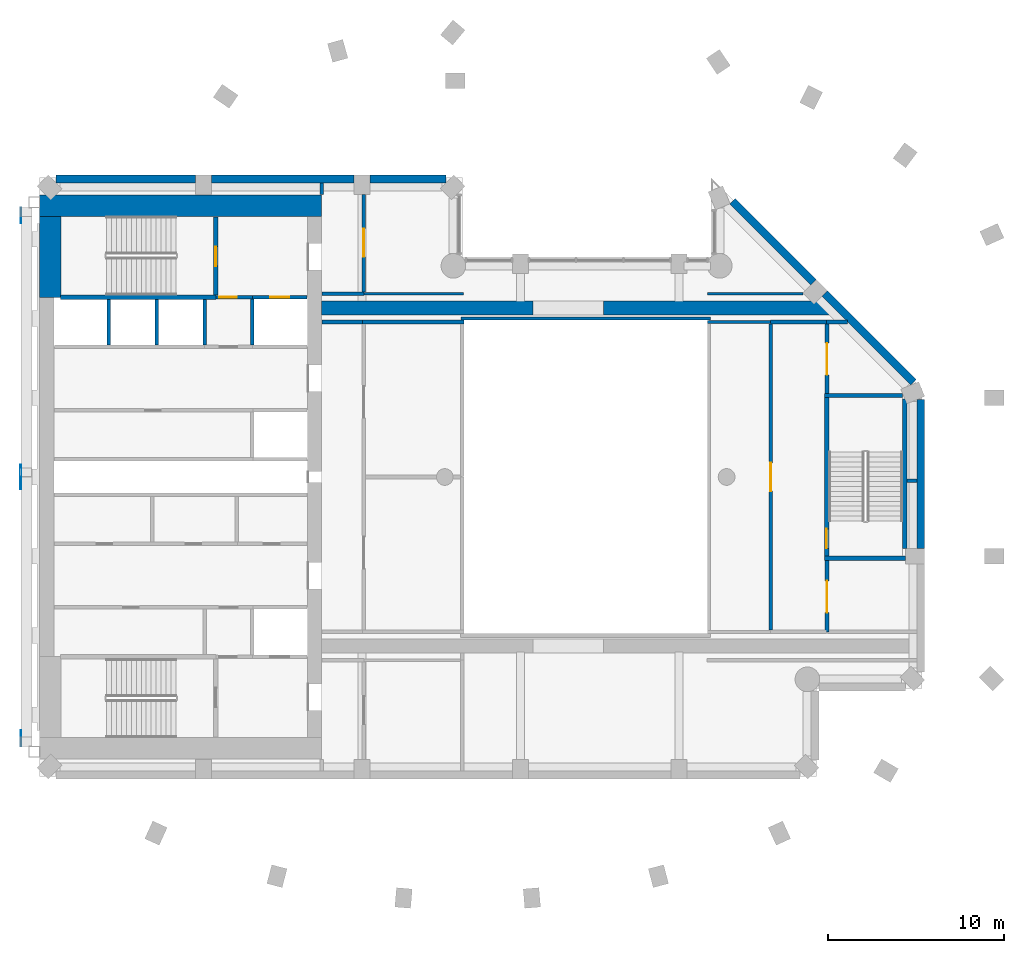
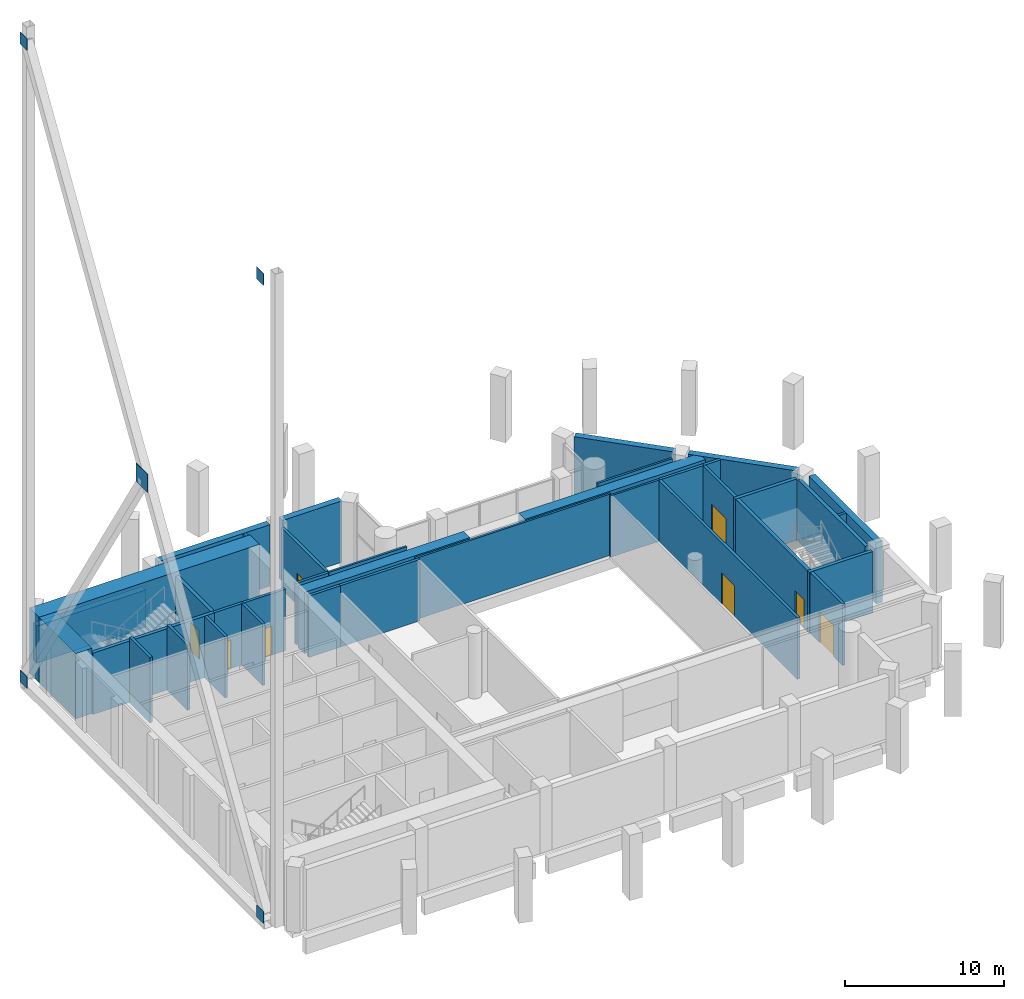
# One storey, part 6 of 12: 37 walls, 8 doors, 5 discrete accessories, 8 openings.
"""IFC4 building model written with IfcOpenShell, lengths in metres."""

from ifc_helpers import new_model, si_unit, direction, frame, frame_2d, origin, origin_2d, place, context, subcontext, project, spatial, rectangle, extrude, material, layer, layer_set, material_profile, profile_set, type_object, element, fill, save


model = new_model("IFC4")

# Units and contexts
model_context = context("Model", 3, precision=1e-05, world=origin(), true_north=direction((0.0, 1.0)))
body_context = subcontext(model_context, "Body", "Model", "MODEL_VIEW")
ifc_project = project(units=[si_unit("LENGTHUNIT", "METRE"), si_unit("AREAUNIT", "SQUARE_METRE"), si_unit("VOLUMEUNIT", "CUBIC_METRE"), si_unit("PLANEANGLEUNIT", "RADIAN"), si_unit("MASSUNIT", "GRAM", prefix="KILO")], contexts=[model_context])

# Site, building, storey
site_placement = place(None, origin())
site = spatial("IfcSite", under=ifc_project, at=site_placement, CompositionType="ELEMENT")
building_placement = place(site_placement, origin())
building = spatial("IfcBuilding", under=site, at=building_placement, Name="Cypress Arch Tower", CompositionType="ELEMENT")
storey_placement = place(building_placement, frame((0.0, 0.0, 238.39990234375)))
storey = spatial("IfcBuildingStorey", under=building, at=storey_placement, Name="L53", CompositionType="ELEMENT", Elevation=238.39990234375)

# Walls
ifc_material_1 = material(Name="Brick (red buff blend)", Category="masonry")
ifc_layer_1 = layer(ifc_material_1, 0.449951171875)
ifc_layer_set_1 = layer_set([ifc_layer_1], Name="Brick belt wall BW450-B")
wall_type_1 = type_object("IfcWallType", Name="Brick belt wall BW450-B", PredefinedType="SOLIDWALL", material=ifc_layer_set_1)
wall_1_placement = place(storey_placement, frame((20.02490234375, -4.050048828125, 0.0), z_axis=(0.0, 0.0, 1.0), x_axis=(0.0, 1.0, 0.0)))
element("IfcWall", 1, at=wall_1_placement, inside=storey, type_object=wall_type_1, Name="Brick wall L53 B04.1", PredefinedType="SOLIDWALL", context=body_context, shape_type="SweptSolid", body=[
    extrude(rectangle(XDim=8.438720703125, YDim=0.449951171875, at=frame_2d((4.21923828125, 0.0))), origin(), (0.0, 0.0, 1.0), 4.7001953125),
])
wall_2_placement = place(storey_placement, frame((19.61474609375, 5.379150390625, 0.0), z_axis=(0.0, 0.0, 1.0), x_axis=(-0.707089646058, 0.7071239159, 0.0)))
element("IfcWall", 2, at=wall_2_placement, inside=storey, type_object=wall_type_1, Name="Brick wall L53 B05.0", PredefinedType="SOLIDWALL", context=body_context, shape_type="SweptSolid", body=[
    extrude(rectangle(XDim=7.1240234375, YDim=0.449951171875, at=frame_2d((3.56201171875, 0.0))), origin(), (0.0, 0.0, 1.0), 4.7001953125),
])
wall_3_placement = place(storey_placement, frame((13.94091796875, 11.052978515625, 0.0), z_axis=(0.0, 0.0, 1.0), x_axis=(-0.707106781187, 0.707106781187, 0.0)))
element("IfcWall", 3, at=wall_3_placement, inside=storey, type_object=wall_type_1, Name="Brick wall L53 B05.1", PredefinedType="SOLIDWALL", context=body_context, shape_type="SweptSolid", body=[
    extrude(rectangle(XDim=6.505126953125, YDim=0.449951171875, at=frame_2d((3.25244140625, 0.0))), origin(), (0.0, 0.0, 1.0), 4.7001953125),
])
wall_4_placement = place(storey_placement, frame((-6.936279296875, 16.925048828125, 0.0), z_axis=(0.0, 0.0, 1.0), x_axis=(-1.0, 0.0, 0.0)))
element("IfcWall", 4, at=wall_4_placement, inside=storey, type_object=wall_type_1, Name="Brick wall L53 B09.0", PredefinedType="SOLIDWALL", context=body_context, shape_type="SweptSolid", body=[
    extrude(rectangle(XDim=4.313720703125, YDim=0.449951171875, at=frame_2d((2.15673828125, 0.0))), origin(), (0.0, 0.0, 1.0), 4.7001953125),
])
wall_5_placement = place(storey_placement, frame((-12.14990234375, 16.925048828125, 0.0), z_axis=(0.0, 0.0, 1.0), x_axis=(-1.0, 0.0, 0.0)))
element("IfcWall", 5, at=wall_5_placement, inside=storey, type_object=wall_type_1, Name="Brick wall L53 B09.1", PredefinedType="SOLIDWALL", context=body_context, shape_type="SweptSolid", body=[
    extrude(rectangle(XDim=8.10009765625, YDim=0.449951171875, at=frame_2d((4.050048828125, 0.0))), origin(), (0.0, 0.0, 1.0), 4.7001953125),
])
wall_6_placement = place(storey_placement, frame((-21.14990234375, 16.925048828125, 0.0), z_axis=(0.0, 0.0, 1.0), x_axis=(-1.0, 0.0, 0.0)))
element("IfcWall", 6, at=wall_6_placement, inside=storey, type_object=wall_type_1, Name="Brick wall L53 B09.2", PredefinedType="SOLIDWALL", context=body_context, shape_type="SweptSolid", body=[
    extrude(rectangle(XDim=7.913818359375, YDim=0.449951171875, at=frame_2d((3.95703125, 0.0))), origin(), (0.0, 0.0, 1.0), 2.85009765625),
])
ifc_material_2 = material(Name="Concrete C70/85", Category="concrete")
ifc_layer_2 = layer(ifc_material_2, 1.199951171875)
ifc_layer_set_2 = layer_set([ifc_layer_2], Name="Core wall CW1200 C70/85")
wall_type_2 = type_object("IfcWallType", Name="Core wall CW1200 C70/85", PredefinedType="SHEAR", material=ifc_layer_set_2)
wall_7_placement = place(storey_placement, frame((-30.0, 15.39990234375, 0.0), z_axis=(0.0, 0.0, 1.0), x_axis=(1.0, 0.0, 0.0)))
element("IfcWall", 7, at=wall_7_placement, inside=storey, type_object=wall_type_2, Name="Core wall", PredefinedType="SHEAR", context=body_context, shape_type="SweptSolid", body=[
    extrude(rectangle(XDim=16.0, YDim=1.199951171875, at=frame_2d((8.0, 0.0))), origin(), (0.0, 0.0, 1.0), 5.0),
])
wall_8_placement = place(storey_placement, frame((-29.39990234375, 10.199951171875, 0.0), z_axis=(0.0, 0.0, 1.0), x_axis=(0.0, 1.0, 0.0)))
element("IfcWall", 8, at=wall_8_placement, inside=storey, type_object=wall_type_2, Name="Core wall", PredefinedType="SHEAR", context=body_context, shape_type="SweptSolid", body=[
    extrude(rectangle(XDim=4.60009765625, YDim=1.199951171875, at=frame_2d((2.300048828125, 0.0))), origin(), (0.0, 0.0, 1.0), 5.0),
])

# Wall, opening, door
ifc_material_3 = material(Name="Concrete blockwork, plastered, rated", Category="masonry")
ifc_layer_3 = layer(ifc_material_3, 0.199951171875)
ifc_layer_set_3 = layer_set([ifc_layer_3], Name="Corridor wall FW200")
wall_type_3 = type_object("IfcWallType", Name="Corridor wall FW200", PredefinedType="PARTITIONING", material=ifc_layer_set_3)
wall_9_placement = place(storey_placement, frame((-20.0, 10.199951171875, 0.0), z_axis=(0.0, 0.0, 1.0), x_axis=(1.0, 0.0, 0.0)))
wall_9 = element("IfcWall", 9, at=wall_9_placement, inside=storey, type_object=wall_type_3, Name="Corridor wall", PredefinedType="PARTITIONING", context=body_context, shape_type="SweptSolid", body=[
    extrude(rectangle(XDim=2.080078125, YDim=0.199951171875, at=frame_2d((1.0400390625, 0.0))), origin(), (0.0, 0.0, 1.0), 4.7001953125),
])
opening_1_placement = place(wall_9_placement, frame((0.199951171875, 0.0, 0.0)))
opening_1 = element("IfcOpeningElement", 10, at=opening_1_placement, cuts=wall_9, Name="Opening D16", PredefinedType="OPENING", context=body_context, shape_type="SweptSolid", body=[
    extrude(rectangle(XDim=1.0, YDim=2.199951171875, at=frame_2d((0.5, 1.10009765625))), frame((0.0, 0.10986328125, 0.0), z_axis=(0.0, -1.0, 0.0), x_axis=(1.0, 0.0, 0.0)), (0.0, 0.0, 1.0), 0.219970703125),
])
ifc_material_4 = material(Name="Timber flush door", Category="wood")
door_type_1 = type_object("IfcDoorType", Name="Service door D16 1000x2200", OperationType="SINGLE_SWING_LEFT", PredefinedType="DOOR", material=ifc_material_4)
door_1_placement = place(opening_1_placement, origin())
door_1 = element("IfcDoor", 11, at=door_1_placement, inside=storey, type_object=door_type_1, Name="Service door", OperationType="SINGLE_SWING_LEFT", OverallHeight=2.199951171875, OverallWidth=1.0, PredefinedType="DOOR", context=body_context, shape_type="SweptSolid", body=[
    extrude(rectangle(XDim=1.0, YDim=2.199951171875, at=frame_2d((0.5, 1.10009765625))), frame((0.0, 0.02490234375, 0.0), z_axis=(0.0, -1.0, 0.0), x_axis=(1.0, 0.0, 0.0)), (0.0, 0.0, 1.0), 0.050048828125),
])
fill(opening_1, door_1)

# Walls
wall_10_placement = place(storey_placement, frame((-13.969970703125, 8.800048828125, 0.0), z_axis=(0.0, 0.0, 1.0), x_axis=(1.0, 0.0, 0.0)))
element("IfcWall", 12, at=wall_10_placement, inside=storey, type_object=wall_type_3, Name="Corridor wall", PredefinedType="PARTITIONING", context=body_context, shape_type="SweptSolid", body=[
    extrude(rectangle(XDim=2.2900390625, YDim=0.199951171875, at=frame_2d((1.14501953125, 0.0))), origin(), (0.0, 0.0, 1.0), 4.7001953125),
])
wall_11_placement = place(storey_placement, frame((-13.969970703125, 10.39990234375, 0.0), z_axis=(0.0, 0.0, 1.0), x_axis=(1.0, 0.0, 0.0)))
element("IfcWall", 13, at=wall_11_placement, inside=storey, type_object=wall_type_3, Name="Corridor wall", PredefinedType="PARTITIONING", context=body_context, shape_type="SweptSolid", body=[
    extrude(rectangle(XDim=2.369873046875, YDim=0.199951171875, at=frame_2d((1.18505859375, 0.0))), origin(), (0.0, 0.0, 1.0), 4.7001953125),
])

# Wall, opening, door
wall_12_placement = place(storey_placement, frame((-11.60009765625, 10.5, 0.0), z_axis=(0.0, 0.0, 1.0), x_axis=(0.0, 1.0, 0.0)))
wall_12 = element("IfcWall", 14, at=wall_12_placement, inside=storey, type_object=wall_type_3, Name="Corridor wall", PredefinedType="PARTITIONING", context=body_context, shape_type="SweptSolid", body=[
    extrude(rectangle(XDim=5.550048828125, YDim=0.199951171875, at=frame_2d((2.77490234375, 0.0))), origin(), (0.0, 0.0, 1.0), 4.7001953125),
])
opening_2_placement = place(wall_12_placement, frame((2.0, 0.0, 0.0)))
opening_2 = element("IfcOpeningElement", 15, at=opening_2_placement, cuts=wall_12, Name="Opening D10", PredefinedType="OPENING", context=body_context, shape_type="SweptSolid", body=[
    extrude(rectangle(XDim=1.60009765625, YDim=2.39990234375, at=frame_2d((0.800048828125, 1.199951171875))), frame((0.0, 0.10986328125, 0.0), z_axis=(0.0, -1.0, 0.0), x_axis=(1.0, 0.0, 0.0)), (0.0, 0.0, 1.0), 0.219970703125),
])
ifc_material_5 = material(Name="Black aluminium glazed door", Category="aluminium")
door_type_2 = type_object("IfcDoorType", Name="Amenity door D10 1600x2400", OperationType="DOUBLE_DOOR_SINGLE_SWING", PredefinedType="DOOR", material=ifc_material_5)
door_2_placement = place(opening_2_placement, origin())
door_2 = element("IfcDoor", 16, at=door_2_placement, inside=storey, type_object=door_type_2, Name="Amenity door", OperationType="DOUBLE_DOOR_SINGLE_SWING", OverallHeight=2.39990234375, OverallWidth=1.60009765625, PredefinedType="DOOR", context=body_context, shape_type="SweptSolid", body=[
    extrude(rectangle(XDim=1.60009765625, YDim=2.39990234375, at=frame_2d((0.800048828125, 1.199951171875))), frame((0.0, 0.02490234375, 0.0), z_axis=(0.0, -1.0, 0.0), x_axis=(1.0, 0.0, 0.0)), (0.0, 0.0, 1.0), 0.050048828125),
])
fill(opening_2, door_2)

wall_13_placement = place(storey_placement, frame((11.5, -8.699951171875, 0.0), z_axis=(0.0, 0.0, 1.0), x_axis=(0.0, 1.0, 0.0)))
wall_13 = element("IfcWall", 17, at=wall_13_placement, inside=storey, type_object=wall_type_3, Name="Corridor wall", PredefinedType="PARTITIONING", context=body_context, shape_type="SweptSolid", body=[
    extrude(rectangle(XDim=17.39990234375, YDim=0.199951171875, at=frame_2d((8.699951171875, 0.0))), origin(), (0.0, 0.0, 1.0), 4.7001953125),
])
opening_3_placement = place(wall_13_placement, frame((7.89990234375, 0.0, 0.0)))
opening_3 = element("IfcOpeningElement", 18, at=opening_3_placement, cuts=wall_13, Name="Opening D10", PredefinedType="OPENING", context=body_context, shape_type="SweptSolid", body=[
    extrude(rectangle(XDim=1.60009765625, YDim=2.39990234375, at=frame_2d((0.800048828125, 1.199951171875))), frame((0.0, 0.10986328125, 0.0), z_axis=(0.0, -1.0, 0.0), x_axis=(1.0, 0.0, 0.0)), (0.0, 0.0, 1.0), 0.219970703125),
])
door_3_placement = place(opening_3_placement, origin())
door_3 = element("IfcDoor", 19, at=door_3_placement, inside=storey, type_object=door_type_2, Name="Amenity door", OperationType="DOUBLE_DOOR_SINGLE_SWING", OverallHeight=2.39990234375, OverallWidth=1.60009765625, PredefinedType="DOOR", context=body_context, shape_type="SweptSolid", body=[
    extrude(rectangle(XDim=1.60009765625, YDim=2.39990234375, at=frame_2d((0.800048828125, 1.199951171875))), frame((0.0, 0.02490234375, 0.0), z_axis=(0.0, -1.0, 0.0), x_axis=(1.0, 0.0, 0.0)), (0.0, 0.0, 1.0), 0.050048828125),
])
fill(opening_3, door_3)

# Walls
wall_14_placement = place(storey_placement, frame((11.5, 8.800048828125, 0.0), z_axis=(0.0, 0.0, 1.0), x_axis=(1.0, 0.0, 0.0)))
element("IfcWall", 20, at=wall_14_placement, inside=storey, type_object=wall_type_3, Name="Corridor wall", PredefinedType="PARTITIONING", context=body_context, shape_type="SweptSolid", body=[
    extrude(rectangle(XDim=3.179931640625, YDim=0.199951171875, at=frame_2d((1.58984375, 0.0))), origin(), (0.0, 0.0, 1.0), 4.7001953125),
])
ifc_material_6 = material(Name="Concrete C80/95", Category="concrete")
ifc_layer_4 = layer(ifc_material_6, 0.800048828125)
ifc_layer_set_4 = layer_set([ifc_layer_4], Name="Outrigger wall 800 Concrete C80/95")
wall_type_4 = type_object("IfcWallType", Name="Outrigger wall 800 Concrete C80/95", PredefinedType="SOLIDWALL", material=ifc_layer_set_4)
wall_15_placement = place(storey_placement, frame((-14.0, 9.60009765625, 0.0), z_axis=(0.0, 0.0, 1.0), x_axis=(1.0, 0.0, 0.0)))
element("IfcWall", 21, at=wall_15_placement, inside=storey, type_object=wall_type_4, Name="Outrigger wall L53 NW", PredefinedType="SOLIDWALL", context=body_context, shape_type="SweptSolid", body=[
    extrude(rectangle(XDim=12.0, YDim=0.800048828125, at=frame_2d((6.0, 0.0))), origin(), (0.0, 0.0, 1.0), 4.7001953125),
])
wall_16_placement = place(storey_placement, frame((2.0, 9.60009765625, 0.0), z_axis=(0.0, 0.0, 1.0), x_axis=(1.0, 0.0, 0.0)))
element("IfcWall", 22, at=wall_16_placement, inside=storey, type_object=wall_type_4, Name="Outrigger wall L53 NE", PredefinedType="SOLIDWALL", context=body_context, shape_type="SweptSolid", body=[
    extrude(rectangle(XDim=13.07568359375, YDim=0.800048828125, at=frame_2d((6.537841796875, 0.0))), origin(), (0.0, 0.0, 1.0), 4.7001953125),
])
ifc_material_7 = material(Name="Blockwork, plastered both sides", Category="masonry")
ifc_layer_5 = layer(ifc_material_7, 0.14990234375)
ifc_layer_set_5 = layer_set([ifc_layer_5], Name="Partition PW150")
wall_type_5 = type_object("IfcWallType", Name="Partition PW150", PredefinedType="PARTITIONING", material=ifc_layer_set_5)
wall_17_placement = place(storey_placement, frame((-11.580078125, 10.39990234375, 0.0), z_axis=(0.0, 0.0, 1.0), x_axis=(1.0, 0.0, 0.0)))
element("IfcWall", 23, at=wall_17_placement, inside=storey, type_object=wall_type_5, Name="Partition", PredefinedType="PARTITIONING", context=body_context, shape_type="SweptSolid", body=[
    extrude(rectangle(XDim=5.654052734375, YDim=0.14990234375, at=frame_2d((2.8271484375, 0.0))), origin(), (0.0, 0.0, 1.0), 4.7001953125),
])
wall_18_placement = place(storey_placement, frame((-6.074951171875, 9.0, 0.0), z_axis=(0.0, 0.0, 1.0), x_axis=(1.0, 0.0, 0.0)))
element("IfcWall", 24, at=wall_18_placement, inside=storey, type_object=wall_type_5, Name="Partition", PredefinedType="PARTITIONING", context=body_context, shape_type="SweptSolid", body=[
    extrude(rectangle(XDim=14.14990234375, YDim=0.14990234375, at=frame_2d((7.074951171875, 0.0))), origin(), (0.0, 0.0, 1.0), 4.7001953125),
])
wall_19_placement = place(storey_placement, frame((7.925048828125, 8.800048828125, 0.0), z_axis=(0.0, 0.0, 1.0), x_axis=(1.0, 0.0, 0.0)))
element("IfcWall", 25, at=wall_19_placement, inside=storey, type_object=wall_type_5, Name="Partition", PredefinedType="PARTITIONING", context=body_context, shape_type="SweptSolid", body=[
    extrude(rectangle(XDim=3.554931640625, YDim=0.14990234375, at=frame_2d((1.77734375, 0.0))), origin(), (0.0, 0.0, 1.0), 4.7001953125),
])
wall_20_placement = place(storey_placement, frame((7.926025390625, 10.39990234375, 0.0), z_axis=(0.0, 0.0, 1.0), x_axis=(1.0, 0.0, 0.0)))
element("IfcWall", 26, at=wall_20_placement, inside=storey, type_object=wall_type_5, Name="Partition", PredefinedType="PARTITIONING", context=body_context, shape_type="SweptSolid", body=[
    extrude(rectangle(XDim=5.400390625, YDim=0.14990234375, at=frame_2d((2.7001953125, 0.0))), origin(), (0.0, 0.0, 1.0), 4.7001953125),
])
ifc_material_8 = material(Name="Reinforced blockwork, plastered, rated", Category="masonry")
ifc_layer_6 = layer(ifc_material_8, 0.199951171875)
ifc_layer_set_6 = layer_set([ifc_layer_6], Name="Plant and riser wall PL200")
wall_type_6 = type_object("IfcWallType", Name="Plant and riser wall PL200", PredefinedType="PARTITIONING", material=ifc_layer_set_6)
wall_21_placement = place(storey_placement, frame((-14.0, 16.030029296875, 0.0), z_axis=(0.0, 0.0, 1.0), x_axis=(0.0, 1.0, 0.0)))
element("IfcWall", 27, at=wall_21_placement, inside=storey, type_object=wall_type_6, Name="Plant and riser wall", PredefinedType="PARTITIONING", context=body_context, shape_type="SweptSolid", body=[
    extrude(rectangle(XDim=0.669921875, YDim=0.199951171875, at=frame_2d((0.3349609375, 0.0))), origin(), (0.0, 0.0, 1.0), 4.7001953125),
])
wall_22_placement = place(storey_placement, frame((-11.679931640625, 8.800048828125, 0.0), z_axis=(0.0, 0.0, 1.0), x_axis=(1.0, 0.0, 0.0)))
element("IfcWall", 28, at=wall_22_placement, inside=storey, type_object=wall_type_6, Name="Plant and riser wall", PredefinedType="PARTITIONING", context=body_context, shape_type="SweptSolid", body=[
    extrude(rectangle(XDim=5.780029296875, YDim=0.199951171875, at=frame_2d((2.89013671875, 0.0))), origin(), (0.0, 0.0, 1.0), 4.7001953125),
])

# Wall, opening, door
wall_23_placement = place(storey_placement, frame((14.699951171875, -8.800048828125, 0.0), z_axis=(0.0, 0.0, 1.0), x_axis=(0.0, 1.0, 0.0)))
wall_23 = element("IfcWall", 29, at=wall_23_placement, inside=storey, type_object=wall_type_6, Name="Plant and riser wall", PredefinedType="PARTITIONING", context=body_context, shape_type="SweptSolid", body=[
    extrude(rectangle(XDim=4.050048828125, YDim=0.199951171875, at=frame_2d((2.02490234375, 0.0))), origin(), (0.0, 0.0, 1.0), 4.7001953125),
])
opening_4_placement = place(wall_23_placement, frame((1.10009765625, 0.0, 0.0)))
opening_4 = element("IfcOpeningElement", 30, at=opening_4_placement, cuts=wall_23, Name="Opening D09", PredefinedType="OPENING", context=body_context, shape_type="SweptSolid", body=[
    extrude(rectangle(XDim=1.800048828125, YDim=2.39990234375, at=frame_2d((0.89990234375, 1.199951171875))), frame((0.0, 0.10986328125, 0.0), z_axis=(0.0, -1.0, 0.0), x_axis=(1.0, 0.0, 0.0)), (0.0, 0.0, 1.0), 0.219970703125),
])
ifc_material_9 = material(Name="Steel door, fire resisting", Category="steel")
door_type_3 = type_object("IfcDoorType", Name="Plant room door D09 1800x2400", OperationType="DOUBLE_DOOR_SINGLE_SWING", PredefinedType="DOOR", material=ifc_material_9)
door_4_placement = place(opening_4_placement, origin())
door_4 = element("IfcDoor", 31, at=door_4_placement, inside=storey, type_object=door_type_3, Name="Plant room door", OperationType="DOUBLE_DOOR_SINGLE_SWING", OverallHeight=2.39990234375, OverallWidth=1.800048828125, PredefinedType="DOOR", context=body_context, shape_type="SweptSolid", body=[
    extrude(rectangle(XDim=1.800048828125, YDim=2.39990234375, at=frame_2d((0.89990234375, 1.199951171875))), frame((0.0, 0.02490234375, 0.0), z_axis=(0.0, -1.0, 0.0), x_axis=(1.0, 0.0, 0.0)), (0.0, 0.0, 1.0), 0.050048828125),
])
fill(opening_4, door_4)

wall_24_placement = place(storey_placement, frame((14.699951171875, 4.75, 0.0), z_axis=(0.0, 0.0, 1.0), x_axis=(0.0, 1.0, 0.0)))
wall_24 = element("IfcWall", 32, at=wall_24_placement, inside=storey, type_object=wall_type_6, Name="Plant and riser wall", PredefinedType="PARTITIONING", context=body_context, shape_type="SweptSolid", body=[
    extrude(rectangle(XDim=3.949951171875, YDim=0.199951171875, at=frame_2d((1.97509765625, 0.0))), origin(), (0.0, 0.0, 1.0), 4.7001953125),
])
opening_5_placement = place(wall_24_placement, frame((1.050048828125, 0.0, 0.0)))
opening_5 = element("IfcOpeningElement", 33, at=opening_5_placement, cuts=wall_24, Name="Opening D09", PredefinedType="OPENING", context=body_context, shape_type="SweptSolid", body=[
    extrude(rectangle(XDim=1.800048828125, YDim=2.39990234375, at=frame_2d((0.89990234375, 1.199951171875))), frame((0.0, 0.10986328125, 0.0), z_axis=(0.0, -1.0, 0.0), x_axis=(1.0, 0.0, 0.0)), (0.0, 0.0, 1.0), 0.219970703125),
])
door_5_placement = place(opening_5_placement, origin())
door_5 = element("IfcDoor", 34, at=door_5_placement, inside=storey, type_object=door_type_3, Name="Plant room door", OperationType="DOUBLE_DOOR_SINGLE_SWING", OverallHeight=2.39990234375, OverallWidth=1.800048828125, PredefinedType="DOOR", context=body_context, shape_type="SweptSolid", body=[
    extrude(rectangle(XDim=1.800048828125, YDim=2.39990234375, at=frame_2d((0.89990234375, 1.199951171875))), frame((0.0, 0.02490234375, 0.0), z_axis=(0.0, -1.0, 0.0), x_axis=(1.0, 0.0, 0.0)), (0.0, 0.0, 1.0), 0.050048828125),
])
fill(opening_5, door_5)

# Walls
wall_25_placement = place(storey_placement, frame((14.679931640625, 8.800048828125, 0.0), z_axis=(0.0, 0.0, 1.0), x_axis=(1.0, 0.0, 0.0)))
element("IfcWall", 35, at=wall_25_placement, inside=storey, type_object=wall_type_6, Name="Plant and riser wall", PredefinedType="PARTITIONING", context=body_context, shape_type="SweptSolid", body=[
    extrude(rectangle(XDim=1.19580078125, YDim=0.199951171875, at=frame_2d((0.597900390625, 0.0))), origin(), (0.0, 0.0, 1.0), 4.7001953125),
])
wall_26_placement = place(storey_placement, frame((19.25, -0.199951171875, 0.0), z_axis=(0.0, 0.0, 1.0), x_axis=(1.0, 0.0, 0.0)))
element("IfcWall", 36, at=wall_26_placement, inside=storey, type_object=wall_type_6, Name="Plant and riser wall", PredefinedType="PARTITIONING", context=body_context, shape_type="SweptSolid", body=[
    extrude(rectangle(XDim=0.550048828125, YDim=0.199951171875, at=frame_2d((0.27490234375, 0.0))), origin(), (0.0, 0.0, 1.0), 4.7001953125),
])
ifc_material_10 = material(Name="Concrete C50/60", Category="concrete")
ifc_layer_7 = layer(ifc_material_10, 0.199951171875)
ifc_layer_set_7 = layer_set([ifc_layer_7], Name="Shaft wall SH200")
wall_type_7 = type_object("IfcWallType", Name="Shaft wall SH200", PredefinedType="SHEAR", material=ifc_layer_set_7)
for number, where, z_axis, x_axis, name in (
    (37, (-26.080078125, 7.5, 0.0), (0.0, 0.0, 1.0), (0.0, 1.0, 0.0), "Shaft wall"),
    (38, (-23.360107421875, 7.5, 0.0), (0.0, 0.0, 1.0), (0.0, 1.0, 0.0), "Shaft wall"),
):
    element("IfcWall", number, at=place(storey_placement, frame(where, z_axis=z_axis, x_axis=x_axis)), inside=storey, type_object=wall_type_7, Name=name, PredefinedType="SHEAR", context=body_context, shape_type="SweptSolid", body=[
        extrude(rectangle(XDim=2.574951171875, YDim=0.199951171875, at=frame_2d((1.28759765625, 0.0))), origin(), (0.0, 0.0, 1.0), 5.0),
    ])
wall_27_placement = place(storey_placement, frame((-20.639892578125, 7.5, 0.0), z_axis=(0.0, 0.0, 1.0), x_axis=(0.0, 1.0, 0.0)))
element("IfcWall", 39, at=wall_27_placement, inside=storey, type_object=wall_type_7, Name="Shaft wall", PredefinedType="SHEAR", context=body_context, shape_type="SweptSolid", body=[
    extrude(rectangle(XDim=2.574951171875, YDim=0.199951171875, at=frame_2d((1.28759765625, 0.0))), origin(), (0.0, 0.0, 1.0), 4.7001953125),
])
wall_28_placement = place(storey_placement, frame((-17.919921875, 7.5, 0.0), z_axis=(0.0, 0.0, 1.0), x_axis=(0.0, 1.0, 0.0)))
element("IfcWall", 40, at=wall_28_placement, inside=storey, type_object=wall_type_7, Name="Shaft wall", PredefinedType="SHEAR", context=body_context, shape_type="SweptSolid", body=[
    extrude(rectangle(XDim=2.60009765625, YDim=0.199951171875, at=frame_2d((1.300048828125, 0.0))), origin(), (0.0, 0.0, 1.0), 4.7001953125),
])

# Wall, opening, door
wall_29_placement = place(storey_placement, frame((-17.919921875, 10.199951171875, 0.0), z_axis=(0.0, 0.0, 1.0), x_axis=(1.0, 0.0, 0.0)))
wall_29 = element("IfcWall", 41, at=wall_29_placement, inside=storey, type_object=wall_type_7, Name="Shaft wall", PredefinedType="SHEAR", context=body_context, shape_type="SweptSolid", body=[
    extrude(rectangle(XDim=3.08984375, YDim=0.199951171875, at=frame_2d((1.544921875, 0.0))), origin(), (0.0, 0.0, 1.0), 4.7001953125),
])
opening_6_placement = place(wall_29_placement, frame((1.0, 0.0, 0.0)))
opening_6 = element("IfcOpeningElement", 42, at=opening_6_placement, cuts=wall_29, Name="Opening LD-FL2", PredefinedType="OPENING", context=body_context, shape_type="SweptSolid", body=[
    extrude(rectangle(XDim=1.10009765625, YDim=2.199951171875, at=frame_2d((0.550048828125, 1.10009765625))), frame((0.0, 0.10986328125, 0.0), z_axis=(0.0, -1.0, 0.0), x_axis=(1.0, 0.0, 0.0)), (0.0, 0.0, 1.0), 0.219970703125),
])
ifc_material_11 = material(Name="Stainless steel centre-opening landing door, rated", Category="steel")
door_type_4 = type_object("IfcDoorType", Name="Lift landing door LD 1100x2200", OperationType="DOUBLE_DOOR_SLIDING", PredefinedType="DOOR", material=ifc_material_11)
door_6_placement = place(opening_6_placement, origin())
door_6 = element("IfcDoor", 43, at=door_6_placement, inside=storey, type_object=door_type_4, Name="Lift landing doors FL2", OperationType="DOUBLE_DOOR_SLIDING", OverallHeight=2.199951171875, OverallWidth=1.10009765625, PredefinedType="DOOR", context=body_context, shape_type="SweptSolid", body=[
    extrude(rectangle(XDim=1.10009765625, YDim=2.199951171875, at=frame_2d((0.550048828125, 1.10009765625))), frame((0.0, 0.02490234375, 0.0), z_axis=(0.0, -1.0, 0.0), x_axis=(1.0, 0.0, 0.0)), (0.0, 0.0, 1.0), 0.050048828125),
])
fill(opening_6, door_6)

# Wall
ifc_material_12 = material(Name="Concrete C50/60", Category="concrete")
ifc_layer_8 = layer(ifc_material_12, 0.25)
ifc_layer_set_8 = layer_set([ifc_layer_8], Name="Stair enclosure wall SW250")
wall_type_8 = type_object("IfcWallType", Name="Stair enclosure wall SW250", PredefinedType="SHEAR", material=ifc_layer_set_8)
wall_30_placement = place(storey_placement, frame((-28.81005859375, 10.199951171875, 0.0), z_axis=(0.0, 0.0, 1.0), x_axis=(1.0, 0.0, 0.0)))
element("IfcWall", 44, at=wall_30_placement, inside=storey, type_object=wall_type_8, Name="Stair enclosure wall", PredefinedType="SHEAR", context=body_context, shape_type="SweptSolid", body=[
    extrude(rectangle(XDim=8.81005859375, YDim=0.25, at=frame_2d((4.405029296875, 0.0))), origin(), (0.0, 0.0, 1.0), 4.7001953125),
])

# Wall, opening, door
wall_31_placement = place(storey_placement, frame((-20.0, 10.324951171875, 0.0), z_axis=(0.0, 0.0, 1.0), x_axis=(0.0, 1.0, 0.0)))
wall_31 = element("IfcWall", 45, at=wall_31_placement, inside=storey, type_object=wall_type_8, Name="Stair enclosure wall", PredefinedType="SHEAR", context=body_context, shape_type="SweptSolid", body=[
    extrude(rectangle(XDim=4.445068359375, YDim=0.25, at=frame_2d((2.22265625, 0.0))), origin(), (0.0, 0.0, 1.0), 4.7001953125),
])
opening_7_placement = place(wall_31_placement, frame((1.64990234375, 0.0, 0.0)))
opening_7 = element("IfcOpeningElement", 46, at=opening_7_placement, cuts=wall_31, Name="Opening D06", PredefinedType="OPENING", context=body_context, shape_type="SweptSolid", body=[
    extrude(rectangle(XDim=1.10009765625, YDim=2.199951171875, at=frame_2d((0.550048828125, 1.10009765625))), frame((0.0, 0.135009765625, 0.0), z_axis=(0.0, -1.0, 0.0), x_axis=(1.0, 0.0, 0.0)), (0.0, 0.0, 1.0), 0.27001953125),
])
ifc_material_13 = material(Name="Steel door, fire resisting, panic bar", Category="steel")
door_type_5 = type_object("IfcDoorType", Name="Stair door D06 1100x2200", OperationType="SINGLE_SWING_LEFT", PredefinedType="DOOR", material=ifc_material_13)
door_7_placement = place(opening_7_placement, origin())
door_7 = element("IfcDoor", 47, at=door_7_placement, inside=storey, type_object=door_type_5, Name="Stair door", OperationType="SINGLE_SWING_LEFT", OverallHeight=2.199951171875, OverallWidth=1.10009765625, PredefinedType="DOOR", context=body_context, shape_type="SweptSolid", body=[
    extrude(rectangle(XDim=1.10009765625, YDim=2.199951171875, at=frame_2d((0.550048828125, 1.10009765625))), frame((0.0, 0.02490234375, 0.0), z_axis=(0.0, -1.0, 0.0), x_axis=(1.0, 0.0, 0.0)), (0.0, 0.0, 1.0), 0.050048828125),
])
fill(opening_7, door_7)

wall_32_placement = place(storey_placement, frame((14.675048828125, -4.5, 0.0), z_axis=(0.0, 0.0, 1.0), x_axis=(0.0, 1.0, 0.0)))
wall_32 = element("IfcWall", 48, at=wall_32_placement, inside=storey, type_object=wall_type_8, Name="Stair enclosure wall", PredefinedType="SHEAR", context=body_context, shape_type="SweptSolid", body=[
    extrude(rectangle(XDim=9.0, YDim=0.25, at=frame_2d((4.5, 0.0))), origin(), (0.0, 0.0, 1.0), 4.7001953125),
])
opening_8_placement = place(wall_32_placement, frame((0.449951171875, 0.0, 0.0)))
opening_8 = element("IfcOpeningElement", 49, at=opening_8_placement, cuts=wall_32, Name="Opening D06", PredefinedType="OPENING", context=body_context, shape_type="SweptSolid", body=[
    extrude(rectangle(XDim=1.10009765625, YDim=2.199951171875, at=frame_2d((0.550048828125, 1.10009765625))), frame((0.0, 0.135009765625, 0.0), z_axis=(0.0, -1.0, 0.0), x_axis=(1.0, 0.0, 0.0)), (0.0, 0.0, 1.0), 0.27001953125),
])
door_8_placement = place(opening_8_placement, origin())
door_8 = element("IfcDoor", 50, at=door_8_placement, inside=storey, type_object=door_type_5, Name="Stair door", OperationType="SINGLE_SWING_RIGHT", OverallHeight=2.199951171875, OverallWidth=1.10009765625, PredefinedType="DOOR", context=body_context, shape_type="SweptSolid", body=[
    extrude(rectangle(XDim=1.10009765625, YDim=2.199951171875, at=frame_2d((0.550048828125, 1.10009765625))), frame((0.0, 0.02490234375, 0.0), z_axis=(0.0, -1.0, 0.0), x_axis=(1.0, 0.0, 0.0)), (0.0, 0.0, 1.0), 0.050048828125),
])
fill(opening_8, door_8)

# Walls
wall_33_placement = place(storey_placement, frame((14.550048828125, -4.625, 0.0), z_axis=(0.0, 0.0, 1.0), x_axis=(1.0, 0.0, 0.0)))
element("IfcWall", 51, at=wall_33_placement, inside=storey, type_object=wall_type_8, Name="Stair enclosure wall", PredefinedType="SHEAR", context=body_context, shape_type="SweptSolid", body=[
    extrude(rectangle(XDim=4.599853515625, YDim=0.25, at=frame_2d((2.2998046875, 0.0))), origin(), (0.0, 0.0, 1.0), 4.7001953125),
])
wall_34_placement = place(storey_placement, frame((14.550048828125, 4.625, 0.0), z_axis=(0.0, 0.0, 1.0), x_axis=(1.0, 0.0, 0.0)))
element("IfcWall", 52, at=wall_34_placement, inside=storey, type_object=wall_type_8, Name="Stair enclosure wall", PredefinedType="SHEAR", context=body_context, shape_type="SweptSolid", body=[
    extrude(rectangle(XDim=4.44873046875, YDim=0.25, at=frame_2d((2.224365234375, 0.0))), origin(), (0.0, 0.0, 1.0), 4.7001953125),
])
wall_35_placement = place(storey_placement, frame((19.125, -4.050048828125, 0.0), z_axis=(0.0, 0.0, 1.0), x_axis=(0.0, 1.0, 0.0)))
element("IfcWall", 53, at=wall_35_placement, inside=storey, type_object=wall_type_8, Name="Stair enclosure wall", PredefinedType="SHEAR", context=body_context, shape_type="SweptSolid", body=[
    extrude(rectangle(XDim=8.4765625, YDim=0.25, at=frame_2d((4.23828125, 0.0))), origin(), (0.0, 0.0, 1.0), 4.7001953125),
])

# Discrete accessories
ifc_material_14 = material(Name="Steel ASTM A992", Category="steel")
ifc_material_profile_1 = material_profile(ifc_material_14, rectangle(XDim=0.89990234375, YDim=0.89990234375, at=origin_2d()), Name="PL 30 900x900")
ifc_profile_set_1 = profile_set([ifc_material_profile_1], Name="Steel ASTM A992")
discrete_accessory_type_1 = type_object("IfcDiscreteAccessoryType", Name="Gusset plate 900x900x30 Steel ASTM A992", PredefinedType="ANCHORPLATE", material=ifc_profile_set_1)
for number, where, z_axis, x_axis, name in (
    (54, (-31.0595703125, -14.84326171875, 0.60498046875), (-1.0, 0.0, 0.0), (0.0, -1.0, 0.0), "Gusset plate west bracing 5SB"),
    (55, (-31.0595703125, -14.84326171875, 49.495361328125), (-1.0, 0.0, 0.0), (0.0, -1.0, 0.0), "Gusset plate west bracing 5ST"),
    (56, (-31.0595703125, 14.84326171875, 0.60498046875), (-1.0, 0.0, 0.0), (0.0, -1.0, 0.0), "Gusset plate west bracing 5NB"),
    (57, (-31.0595703125, 14.84326171875, 49.495361328125), (-1.0, 0.0, 0.0), (0.0, -1.0, 0.0), "Gusset plate west bracing 5NT"),
):
    element("IfcDiscreteAccessory", number, at=place(storey_placement, frame(where, z_axis=z_axis, x_axis=x_axis)), inside=storey, type_object=discrete_accessory_type_1, Name=name, PredefinedType="ANCHORPLATE", context=body_context, shape_type="SweptSolid", body=[
        extrude(rectangle(XDim=0.89990234375, YDim=0.89990234375, at=origin_2d()), origin(), (0.0, 0.0, 1.0), 0.030029296875),
    ])
ifc_material_15 = material(Name="Steel ASTM A992", Category="steel")
ifc_material_profile_2 = material_profile(ifc_material_15, rectangle(XDim=1.39990234375, YDim=1.39990234375, at=origin_2d()), Name="PL 40 1400x1400")
ifc_profile_set_2 = profile_set([ifc_material_profile_2], Name="Steel ASTM A992")
discrete_accessory_type_2 = type_object("IfcDiscreteAccessoryType", Name="Node plate 1400x1400x40 Steel ASTM A992", PredefinedType="ANCHORPLATE", material=ifc_profile_set_2)
discrete_accessory_placement = place(storey_placement, frame((-31.0595703125, 0.0, 25.050048828125), z_axis=(-1.0, 0.0, 0.0), x_axis=(0.0, -1.0, 0.0)))
element("IfcDiscreteAccessory", 58, at=discrete_accessory_placement, inside=storey, type_object=discrete_accessory_type_2, Name="Node plate west bracing 5", PredefinedType="ANCHORPLATE", context=body_context, shape_type="SweptSolid", body=[
    extrude(rectangle(XDim=1.39990234375, YDim=1.39990234375, at=origin_2d()), origin(), (0.0, 0.0, 1.0), 0.0400390625),
])

save(model, "model.ifc")
